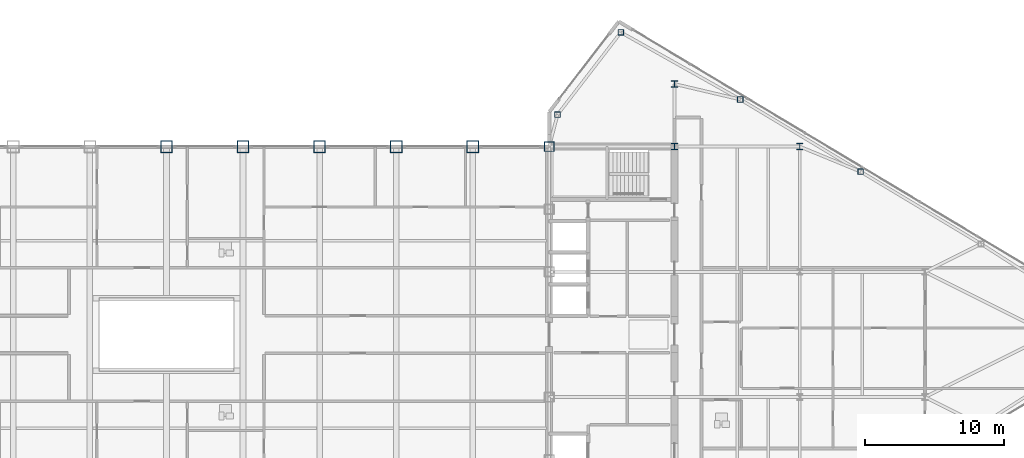
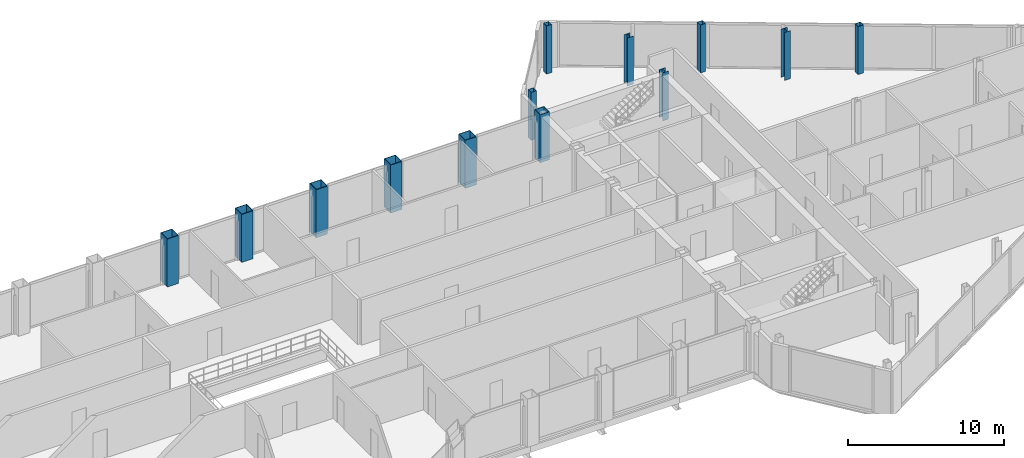
# One storey, part 6 of 29: 13 columns.
"""IFC4 building model written with IfcOpenShell, lengths in metres."""

from ifc_helpers import new_model, si_unit, direction, frame, origin, origin_2d, place, context, subcontext, project, spatial, hollow_rectangle, i_section, extrude, source, transform, mapped, material, material_profile, profile_set, type_object, type_shapes, element, save


model = new_model("IFC4")

# Units and contexts
model_context = context("Model", 3, precision=1e-05, world=origin(), true_north=direction((0.0, 1.0)))
body_context = subcontext(model_context, "Body", "Model", "MODEL_VIEW")
ifc_project = project(units=[si_unit("LENGTHUNIT", "METRE"), si_unit("AREAUNIT", "SQUARE_METRE"), si_unit("VOLUMEUNIT", "CUBIC_METRE"), si_unit("PLANEANGLEUNIT", "RADIAN"), si_unit("MASSUNIT", "GRAM", prefix="KILO")], contexts=[model_context])

# Site, building, storey
site_placement = place(None, origin())
site = spatial("IfcSite", under=ifc_project, at=site_placement, CompositionType="ELEMENT")
building_placement = place(site_placement, origin())
building = spatial("IfcBuilding", under=site, at=building_placement, Name="Seokmaru Belvedere", CompositionType="ELEMENT")
storey_placement = place(building_placement, frame((0.0, 0.0, 250.64990234375)))
storey = spatial("IfcBuildingStorey", under=building, at=storey_placement, Name="L66", CompositionType="ELEMENT", Elevation=250.64990234375)

# Columns
ifc_material_1 = material(Name="Steel SM355 (355 MPa)", Category="steel")
ifc_material_profile_1 = material_profile(ifc_material_1, hollow_rectangle(XDim=0.699951171875, YDim=0.699951171875, WallThickness=0.030029296875, at=origin_2d()), Name="BOX-700x700x30")
ifc_profile_set_1 = profile_set([ifc_material_profile_1], Name="Steel SM355 (355 MPa)")
column_type_1 = type_object("IfcColumnType", Name="Upper Spine Column BOX-700", PredefinedType="COLUMN", material=ifc_profile_set_1)
shared_shape_1 = source(origin(), body_context, "Body", "SweptSolid", [
    extrude(hollow_rectangle(XDim=0.699951171875, YDim=0.699951171875, WallThickness=0.030029296875, at=origin_2d()), origin(), (0.0, 0.0, 1.0), 3.75),
])
type_shapes(column_type_1, [shared_shape_1])
column_placement = place(storey_placement, frame((27.5, 13.5, 0.0), z_axis=(0.0, 0.0, 1.0), x_axis=(1.0, 0.0, 0.0)))
element("IfcColumn", 1, at=column_placement, inside=storey, type_object=column_type_1, Name="L66 Column ES6", PredefinedType="COLUMN", context=body_context, shape_type="MappedRepresentation", body=[
    mapped(shared_shape_1, transform((0.0, 0.0, 0.0), scale=1.0)),
])
ifc_material_profile_2 = material_profile(ifc_material_1, i_section(OverallWidth=0.449951171875, OverallDepth=0.449951171875, WebThickness=0.01611328125, FlangeThickness=0.02490234375, at=origin_2d()), Name="H-450x450x16x25")
ifc_profile_set_2 = profile_set([ifc_material_profile_2], Name="Steel SM355 (355 MPa)")
column_type_2 = type_object("IfcColumnType", Name="Sky-Gate Column H-450", PredefinedType="COLUMN", material=ifc_profile_set_2)
shared_shape_2 = source(origin(), body_context, "Body", "SweptSolid", [
    extrude(i_section(OverallWidth=0.449951171875, OverallDepth=0.449951171875, WebThickness=0.01611328125, FlangeThickness=0.02490234375, at=origin_2d()), origin(), (0.0, 0.0, 1.0), 3.75),
])
type_shapes(column_type_2, [shared_shape_2])
for number, where, z_axis, x_axis, name in (
    (2, (36.5, 13.5, 0.0), (0.0, 0.0, 1.0), (1.0, 0.0, 0.0), "L66 Column EC3"),
    (3, (36.5, 18.0, 0.0), (0.0, 0.0, 1.0), (1.0, 0.0, 0.0), "L66 Column EC4"),
    (4, (45.5, 13.5, 0.0), (0.0, 0.0, 1.0), (1.0, 0.0, 0.0), "L66 Column EG5_4"),
):
    element("IfcColumn", number, at=place(storey_placement, frame(where, z_axis=z_axis, x_axis=x_axis)), inside=storey, type_object=column_type_2, Name=name, PredefinedType="COLUMN", context=body_context, shape_type="MappedRepresentation", body=[
        mapped(shared_shape_2, transform((0.0, 0.0, 0.0), scale=1.0)),
    ])
ifc_material_profile_3 = material_profile(ifc_material_1, hollow_rectangle(XDim=0.39990234375, YDim=0.39990234375, WallThickness=0.01611328125, at=origin_2d()), Name="HSS-400x400x16")
ifc_profile_set_3 = profile_set([ifc_material_profile_3], Name="Steel SM355 (355 MPa)")
column_type_3 = type_object("IfcColumnType", Name="Perimeter Facet Column HSS-400", PredefinedType="COLUMN", material=ifc_profile_set_3)
shared_shape_3 = source(origin(), body_context, "Body", "SweptSolid", [
    extrude(hollow_rectangle(XDim=0.39990234375, YDim=0.39990234375, WallThickness=0.01611328125, at=origin_2d()), origin(), (0.0, 0.0, 1.0), 3.75),
])
type_shapes(column_type_3, [shared_shape_3])
for number, where, z_axis, x_axis, name in (
    (5, (32.649658203125, 21.71044921875, 0.0), (0.0, 0.0, 1.0), (1.0, 0.0, 0.0), "L66 Column EF4"),
    (6, (28.10009765625, 15.7958984375, 0.0), (0.0, 0.0, 1.0), (1.0, 0.0, 0.0), "L66 Column EF5"),
    (7, (41.229736328125, 16.888916015625, 0.0), (0.0, 0.0, 1.0), (1.0, 0.0, 0.0), "L66 Column EFLK_N1"),
    (8, (49.8798828125, 11.698974609375, 0.0), (0.0, 0.0, 1.0), (1.0, 0.0, 0.0), "L66 Column EFLK_N2"),
):
    element("IfcColumn", number, at=place(storey_placement, frame(where, z_axis=z_axis, x_axis=x_axis)), inside=storey, type_object=column_type_3, Name=name, PredefinedType="COLUMN", context=body_context, shape_type="MappedRepresentation", body=[
        mapped(shared_shape_3, transform((0.0, 0.0, 0.0), scale=1.0)),
    ])
ifc_material_2 = material(Name="Steel HSA650 (650 MPa)", Category="steel")
ifc_material_profile_4 = material_profile(ifc_material_2, hollow_rectangle(XDim=0.85009765625, YDim=0.85009765625, WallThickness=0.035888671875, at=origin_2d()), Name="BOX-850x850x36")
ifc_profile_set_4 = profile_set([ifc_material_profile_4], Name="Steel HSA650 (650 MPa)")
column_type_4 = type_object("IfcColumnType", Name="Portal Spine Column BOX-850", PredefinedType="COLUMN", material=ifc_profile_set_4)
shared_shape_4 = source(origin(), body_context, "Body", "SweptSolid", [
    extrude(hollow_rectangle(XDim=0.85009765625, YDim=0.85009765625, WallThickness=0.035888671875, at=origin_2d()), origin(), (0.0, 0.0, 1.0), 3.75),
])
type_shapes(column_type_4, [shared_shape_4])
for number, where, z_axis, x_axis, name in (
    (9, (0.0, 13.5, 0.0), (0.0, 0.0, 1.0), (1.0, 0.0, 0.0), "L66 Column BRN_5"),
    (10, (5.5, 13.5, 0.0), (0.0, 0.0, 1.0), (1.0, 0.0, 0.0), "L66 Column BRN_6"),
    (11, (11.0, 13.5, 0.0), (0.0, 0.0, 1.0), (1.0, 0.0, 0.0), "L66 Column BRN_7"),
    (12, (16.5, 13.5, 0.0), (0.0, 0.0, 1.0), (1.0, 0.0, 0.0), "L66 Column BRN_8"),
    (13, (22.0, 13.5, 0.0), (0.0, 0.0, 1.0), (1.0, 0.0, 0.0), "L66 Column BRN_9"),
):
    element("IfcColumn", number, at=place(storey_placement, frame(where, z_axis=z_axis, x_axis=x_axis)), inside=storey, type_object=column_type_4, Name=name, PredefinedType="COLUMN", context=body_context, shape_type="MappedRepresentation", body=[
        mapped(shared_shape_4, transform((0.0, 0.0, 0.0), scale=1.0)),
    ])

save(model, "model.ifc")
